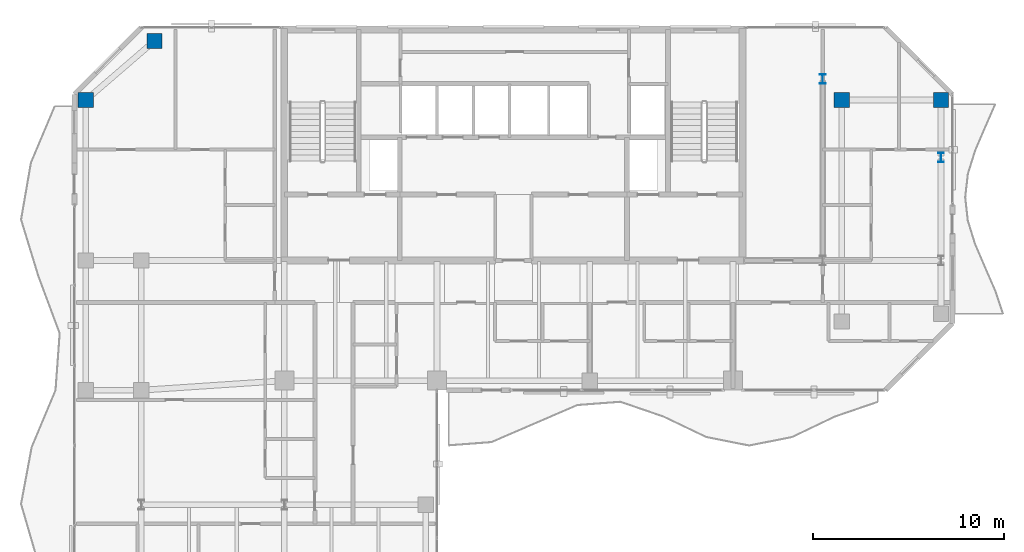
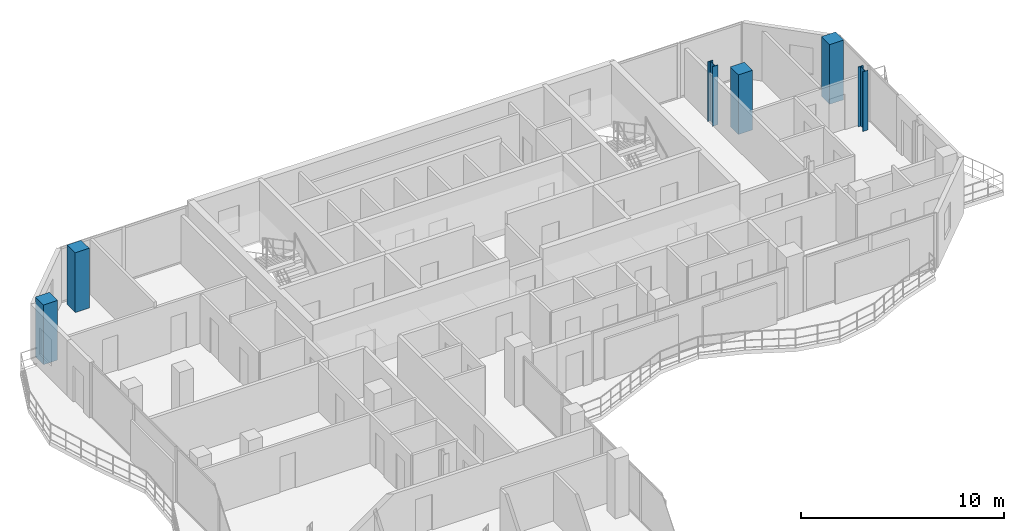
# One storey, part 2 of 24: 6 columns.
"""IFC4 building model written with IfcOpenShell, lengths in metres."""

from ifc_helpers import new_model, si_unit, direction, frame, origin, origin_2d, place, context, subcontext, project, spatial, rectangle, i_section, extrude, material, material_profile, profile_set, type_object, element, save


model = new_model("IFC4")

# Units and contexts
model_context = context("Model", 3, precision=1e-05, world=origin(), true_north=direction((0.0, 1.0)))
body_context = subcontext(model_context, "Body", "Model", "MODEL_VIEW")
ifc_project = project(units=[si_unit("LENGTHUNIT", "METRE"), si_unit("AREAUNIT", "SQUARE_METRE"), si_unit("VOLUMEUNIT", "CUBIC_METRE"), si_unit("PLANEANGLEUNIT", "RADIAN"), si_unit("MASSUNIT", "GRAM", prefix="KILO")], contexts=[model_context])

# Site, building, storey
site_placement = place(None, origin())
site = spatial("IfcSite", under=ifc_project, at=site_placement, CompositionType="ELEMENT")
building_placement = place(site_placement, origin())
building = spatial("IfcBuilding", under=site, at=building_placement, Name="Catumbela Crestline Tower", CompositionType="ELEMENT")
storey_placement = place(building_placement, frame((0.0, 0.0, 161.4)))
storey = spatial("IfcBuildingStorey", under=building, at=storey_placement, Name="L41", CompositionType="ELEMENT", Elevation=161.4)

# Columns
ifc_material_1 = material(Name="Concrete C50/60", Category="concrete")
ifc_material_profile_1 = material_profile(ifc_material_1, rectangle(XDim=0.8, YDim=0.8, at=origin_2d()), Name="RC 800x800")
ifc_profile_set_1 = profile_set([ifc_material_profile_1], Name="Concrete C50/60")
column_type_1 = type_object("IfcColumnType", Name="C-RC800-C50", PredefinedType="COLUMN", material=ifc_profile_set_1)
for number, where, z_axis, x_axis, name in (
    (1, (5.6, 39.2, 0.0), (0.0, 0.0, 1.0), (1.0, 0.0, 0.0), "L41 Column C-05-43 (RC 800x800)"),
    (2, (9.2, 42.3, 0.0), (0.0, 0.0, 1.0), (1.0, 0.0, 0.0), "L41 Column C-08-43 (RC 800x800)"),
    (3, (45.2, 39.2, 0.0), (0.0, 0.0, 1.0), (1.0, 0.0, 0.0), "L41 Column C-46-43 (RC 800x800)"),
    (4, (50.4, 39.2, 0.0), (0.0, 0.0, 1.0), (1.0, 0.0, 0.0), "L41 Column C-51-43 (RC 800x800)"),
):
    element("IfcColumn", number, at=place(storey_placement, frame(where, z_axis=z_axis, x_axis=x_axis)), inside=storey, type_object=column_type_1, Name=name, PredefinedType="COLUMN", context=body_context, shape_type="SweptSolid", body=[
        extrude(rectangle(XDim=0.8, YDim=0.8, at=origin_2d()), origin(), (0.0, 0.0, 1.0), 3.6),
    ])
ifc_material_2 = material(Name="Structural steel S355J2", Category="steel")
ifc_material_profile_2 = material_profile(ifc_material_2, i_section(OverallWidth=0.3, OverallDepth=0.5, WebThickness=0.0145, FlangeThickness=0.028, FilletRadius=0.027, at=origin_2d()), Name="HEB 500")
ifc_profile_set_2 = profile_set([ifc_material_profile_2], Name="Structural steel S355J2")
column_type_2 = type_object("IfcColumnType", Name="C-ST-HEB500", PredefinedType="COLUMN", material=ifc_profile_set_2)
for number, where, z_axis, x_axis, name in (
    (5, (44.2, 40.3, 0.0), (0.0, 0.0, 1.0), (1.0, 0.0, 0.0), "L41 Column CT-46-37 (HEB 500)"),
    (6, (50.4, 36.2, 0.0), (0.0, 0.0, 1.0), (1.0, 0.0, 0.0), "L41 Column CT-51-37 (HEB 500)"),
):
    element("IfcColumn", number, at=place(storey_placement, frame(where, z_axis=z_axis, x_axis=x_axis)), inside=storey, type_object=column_type_2, Name=name, PredefinedType="COLUMN", context=body_context, shape_type="SweptSolid", body=[
        extrude(i_section(OverallWidth=0.3, OverallDepth=0.5, WebThickness=0.0145, FlangeThickness=0.028, FilletRadius=0.027, at=origin_2d()), origin(), (0.0, 0.0, 1.0), 3.6),
    ])

save(model, "model.ifc")
